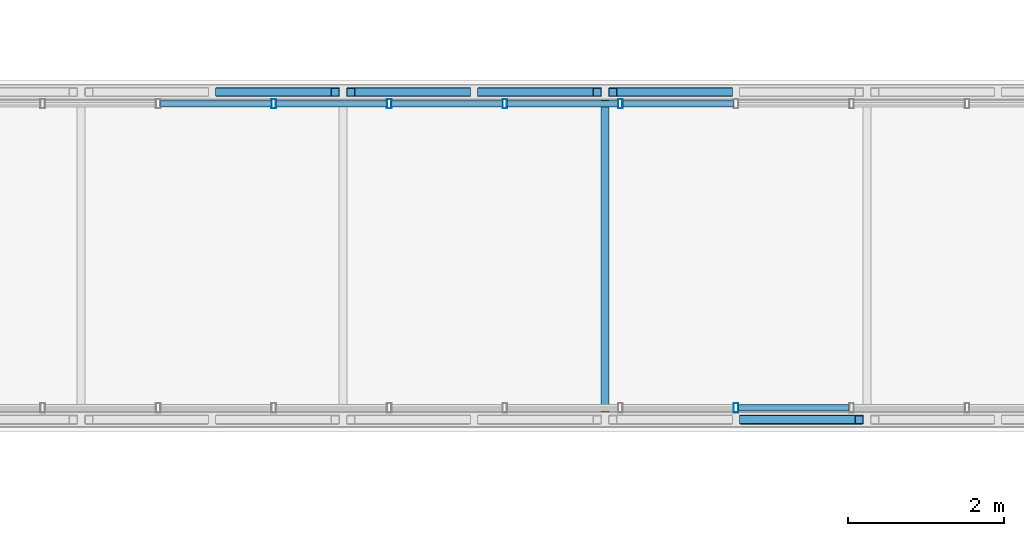
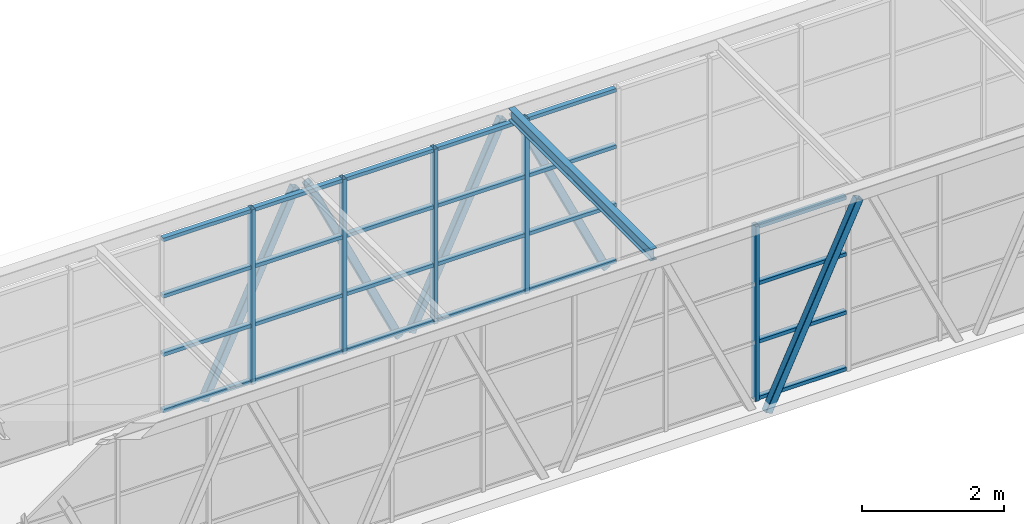
# One storey, part 56 of 149: 34 members, 1 beam, 2 elements without a shape of their own.
"""IFC4 building model written with IfcOpenShell, lengths in metres."""

from ifc_helpers import new_model, si_unit, direction, frame, origin, origin_2d, place, context, subcontext, project, spatial, hollow_rectangle, i_section, extrude, material, material_profile, profile_set, type_object, element, aggregate, save


model = new_model("IFC4")

# Units and contexts
model_context = context("Model", 3, precision=1e-05, world=origin(), true_north=direction((0.0, 1.0)))
body_context = subcontext(model_context, "Body", "Model", "MODEL_VIEW")
ifc_project = project(units=[si_unit("LENGTHUNIT", "METRE"), si_unit("AREAUNIT", "SQUARE_METRE"), si_unit("VOLUMEUNIT", "CUBIC_METRE"), si_unit("PLANEANGLEUNIT", "RADIAN"), si_unit("MASSUNIT", "GRAM", prefix="KILO")], contexts=[model_context])

# Site, building, storey
site_placement = place(None, origin())
site = spatial("IfcSite", under=ifc_project, at=site_placement, CompositionType="ELEMENT")
building_placement = place(site_placement, origin())
building = spatial("IfcBuilding", under=site, at=building_placement, Name="Kallimachos Central Library", CompositionType="ELEMENT")
storey_placement = place(building_placement, frame((0.0, 0.0, 9.89990234375)))
storey = spatial("IfcBuildingStorey", under=building, at=storey_placement, Name="L02", CompositionType="ELEMENT", Elevation=9.89990234375)

# Curtain wall, member
ifc_material_1 = material(Name="Aluminium and laminated glass", Category="aluminium")
curtain_wall_type = type_object("IfcCurtainWallType", Name="Link glazed wall", PredefinedType="NOTDEFINED", material=ifc_material_1)
curtain_wall_1_placement = place(storey_placement, origin())
curtain_wall_1 = element("IfcCurtainWall", 1, at=curtain_wall_1_placement, inside=storey, type_object=curtain_wall_type, Name="V1 to V3 bridge glazed side", PredefinedType="NOTDEFINED")
ifc_material_2 = material(Name="Anodised aluminium", Category="aluminium")
ifc_material_profile_1 = material_profile(ifc_material_2, hollow_rectangle(XDim=0.06005859375, YDim=0.1201171875, WallThickness=0.00390625, at=origin_2d()), Name="ALU MULLION 60x120")
ifc_profile_set_1 = profile_set([ifc_material_profile_1], Name="Anodised aluminium")
member_type_1 = type_object("IfcMemberType", Name="ALU MULLION 60x120 mullion", PredefinedType="MULLION", material=ifc_profile_set_1)
member_1_placement = place(storey_placement, frame((124.262451171875, 98.550048828125, 0.0), z_axis=(0.0, 0.0, 1.0), x_axis=(1.0, 0.0, 0.0)))
member_1 = element("IfcMember", 2, at=member_1_placement, type_object=member_type_1, Name="CW74 mullion 10", PredefinedType="MULLION", context=body_context, shape_type="SweptSolid", body=[
    extrude(hollow_rectangle(XDim=0.06005859375, YDim=0.1201171875, WallThickness=0.00390625, at=origin_2d()), origin(), (0.0, 0.0, 1.0), 3.0),
])

# Curtain wall, members
curtain_wall_2_placement = place(storey_placement, origin())
curtain_wall_2 = element("IfcCurtainWall", 3, at=curtain_wall_2_placement, inside=storey, type_object=curtain_wall_type, Name="V1 to V3 bridge glazed side", PredefinedType="NOTDEFINED")
member_2_placement = place(storey_placement, frame((118.334716796875, 102.449951171875, 0.0), z_axis=(0.0, 0.0, 1.0), x_axis=(1.0, 0.0, 0.0)))
member_2 = element("IfcMember", 4, at=member_2_placement, type_object=member_type_1, Name="CW75 mullion 6", PredefinedType="MULLION", context=body_context, shape_type="SweptSolid", body=[
    extrude(hollow_rectangle(XDim=0.06005859375, YDim=0.1201171875, WallThickness=0.00390625, at=origin_2d()), origin(), (0.0, 0.0, 1.0), 3.0),
])
member_3_placement = place(storey_placement, frame((119.816650390625, 102.449951171875, 0.0), z_axis=(0.0, 0.0, 1.0), x_axis=(1.0, 0.0, 0.0)))
member_3 = element("IfcMember", 5, at=member_3_placement, type_object=member_type_1, Name="CW75 mullion 7", PredefinedType="MULLION", context=body_context, shape_type="SweptSolid", body=[
    extrude(hollow_rectangle(XDim=0.06005859375, YDim=0.1201171875, WallThickness=0.00390625, at=origin_2d()), origin(), (0.0, 0.0, 1.0), 3.0),
])
member_4_placement = place(storey_placement, frame((121.298583984375, 102.449951171875, 0.0), z_axis=(0.0, 0.0, 1.0), x_axis=(1.0, 0.0, 0.0)))
member_4 = element("IfcMember", 6, at=member_4_placement, type_object=member_type_1, Name="CW75 mullion 8", PredefinedType="MULLION", context=body_context, shape_type="SweptSolid", body=[
    extrude(hollow_rectangle(XDim=0.06005859375, YDim=0.1201171875, WallThickness=0.00390625, at=origin_2d()), origin(), (0.0, 0.0, 1.0), 3.0),
])
member_5_placement = place(storey_placement, frame((122.780517578125, 102.449951171875, 0.0), z_axis=(0.0, 0.0, 1.0), x_axis=(1.0, 0.0, 0.0)))
member_5 = element("IfcMember", 7, at=member_5_placement, type_object=member_type_1, Name="CW75 mullion 9", PredefinedType="MULLION", context=body_context, shape_type="SweptSolid", body=[
    extrude(hollow_rectangle(XDim=0.06005859375, YDim=0.1201171875, WallThickness=0.00390625, at=origin_2d()), origin(), (0.0, 0.0, 1.0), 3.0),
])

# Member
ifc_material_3 = material(Name="Anodised aluminium", Category="aluminium")
ifc_material_profile_2 = material_profile(ifc_material_3, hollow_rectangle(XDim=0.06005859375, YDim=0.080078125, WallThickness=0.00390625, at=origin_2d()), Name="ALU TRANSOM 60x80")
ifc_profile_set_2 = profile_set([ifc_material_profile_2], Name="Anodised aluminium")
member_type_2 = type_object("IfcMemberType", Name="ALU TRANSOM 60x80 transom", PredefinedType="USERDEFINED", material=ifc_profile_set_2)
member_6_placement = place(storey_placement, frame((124.29248046875, 98.550048828125, 0.030029296875), z_axis=(1.0, 0.0, 0.0), x_axis=(0.0, 0.0, 1.0)))
member_6 = element("IfcMember", 8, at=member_6_placement, type_object=member_type_2, Name="CW74 transom 10.1", ObjectType="TRANSOM", PredefinedType="USERDEFINED", context=body_context, shape_type="SweptSolid", body=[
    extrude(hollow_rectangle(XDim=0.06005859375, YDim=0.080078125, WallThickness=0.00390625, at=origin_2d()), origin(), (0.0, 0.0, 1.0), 1.421875),
])

member_7_placement = place(storey_placement, frame((124.29248046875, 98.550048828125, 1.0), z_axis=(1.0, 0.0, 0.0), x_axis=(0.0, 0.0, 1.0)))
member_7 = element("IfcMember", 9, at=member_7_placement, type_object=member_type_2, Name="CW74 transom 10.2", ObjectType="TRANSOM", PredefinedType="USERDEFINED", context=body_context, shape_type="SweptSolid", body=[
    extrude(hollow_rectangle(XDim=0.06005859375, YDim=0.080078125, WallThickness=0.00390625, at=origin_2d()), origin(), (0.0, 0.0, 1.0), 1.421875),
])

member_8_placement = place(storey_placement, frame((124.29248046875, 98.550048828125, 2.0), z_axis=(1.0, 0.0, 0.0), x_axis=(0.0, 0.0, 1.0)))
member_8 = element("IfcMember", 10, at=member_8_placement, type_object=member_type_2, Name="CW74 transom 10.3", ObjectType="TRANSOM", PredefinedType="USERDEFINED", context=body_context, shape_type="SweptSolid", body=[
    extrude(hollow_rectangle(XDim=0.06005859375, YDim=0.080078125, WallThickness=0.00390625, at=origin_2d()), origin(), (0.0, 0.0, 1.0), 1.421875),
])

member_9_placement = place(storey_placement, frame((124.29248046875, 98.550048828125, 2.97021484375), z_axis=(1.0, 0.0, 0.0), x_axis=(0.0, 0.0, 1.0)))
member_9 = element("IfcMember", 11, at=member_9_placement, type_object=member_type_2, Name="CW74 transom 10.4", ObjectType="TRANSOM", PredefinedType="USERDEFINED", context=body_context, shape_type="SweptSolid", body=[
    extrude(hollow_rectangle(XDim=0.06005859375, YDim=0.080078125, WallThickness=0.00390625, at=origin_2d()), origin(), (0.0, 0.0, 1.0), 1.421875),
])

aggregate(curtain_wall_1, [member_1, member_6, member_7, member_8, member_9])

member_10_placement = place(storey_placement, frame((116.8828125, 102.449951171875, 0.030029296875), z_axis=(1.0, 0.0, 0.0), x_axis=(0.0, 0.0, 1.0)))
member_10 = element("IfcMember", 12, at=member_10_placement, type_object=member_type_2, Name="CW75 transom 5.1", ObjectType="TRANSOM", PredefinedType="USERDEFINED", context=body_context, shape_type="SweptSolid", body=[
    extrude(hollow_rectangle(XDim=0.06005859375, YDim=0.080078125, WallThickness=0.00390625, at=origin_2d()), origin(), (0.0, 0.0, 1.0), 1.421875),
])

member_11_placement = place(storey_placement, frame((116.8828125, 102.449951171875, 1.0), z_axis=(1.0, 0.0, 0.0), x_axis=(0.0, 0.0, 1.0)))
member_11 = element("IfcMember", 13, at=member_11_placement, type_object=member_type_2, Name="CW75 transom 5.2", ObjectType="TRANSOM", PredefinedType="USERDEFINED", context=body_context, shape_type="SweptSolid", body=[
    extrude(hollow_rectangle(XDim=0.06005859375, YDim=0.080078125, WallThickness=0.00390625, at=origin_2d()), origin(), (0.0, 0.0, 1.0), 1.421875),
])

member_12_placement = place(storey_placement, frame((116.8828125, 102.449951171875, 2.0), z_axis=(1.0, 0.0, 0.0), x_axis=(0.0, 0.0, 1.0)))
member_12 = element("IfcMember", 14, at=member_12_placement, type_object=member_type_2, Name="CW75 transom 5.3", ObjectType="TRANSOM", PredefinedType="USERDEFINED", context=body_context, shape_type="SweptSolid", body=[
    extrude(hollow_rectangle(XDim=0.06005859375, YDim=0.080078125, WallThickness=0.00390625, at=origin_2d()), origin(), (0.0, 0.0, 1.0), 1.421875),
])

member_13_placement = place(storey_placement, frame((116.8828125, 102.449951171875, 2.97021484375), z_axis=(1.0, 0.0, 0.0), x_axis=(0.0, 0.0, 1.0)))
member_13 = element("IfcMember", 15, at=member_13_placement, type_object=member_type_2, Name="CW75 transom 5.4", ObjectType="TRANSOM", PredefinedType="USERDEFINED", context=body_context, shape_type="SweptSolid", body=[
    extrude(hollow_rectangle(XDim=0.06005859375, YDim=0.080078125, WallThickness=0.00390625, at=origin_2d()), origin(), (0.0, 0.0, 1.0), 1.421875),
])

member_14_placement = place(storey_placement, frame((118.36474609375, 102.449951171875, 0.030029296875), z_axis=(1.0, 0.0, 0.0), x_axis=(0.0, 0.0, 1.0)))
member_14 = element("IfcMember", 16, at=member_14_placement, type_object=member_type_2, Name="CW75 transom 6.1", ObjectType="TRANSOM", PredefinedType="USERDEFINED", context=body_context, shape_type="SweptSolid", body=[
    extrude(hollow_rectangle(XDim=0.06005859375, YDim=0.080078125, WallThickness=0.00390625, at=origin_2d()), origin(), (0.0, 0.0, 1.0), 1.421875),
])

member_15_placement = place(storey_placement, frame((118.36474609375, 102.449951171875, 1.0), z_axis=(1.0, 0.0, 0.0), x_axis=(0.0, 0.0, 1.0)))
member_15 = element("IfcMember", 17, at=member_15_placement, type_object=member_type_2, Name="CW75 transom 6.2", ObjectType="TRANSOM", PredefinedType="USERDEFINED", context=body_context, shape_type="SweptSolid", body=[
    extrude(hollow_rectangle(XDim=0.06005859375, YDim=0.080078125, WallThickness=0.00390625, at=origin_2d()), origin(), (0.0, 0.0, 1.0), 1.421875),
])

member_16_placement = place(storey_placement, frame((118.36474609375, 102.449951171875, 2.0), z_axis=(1.0, 0.0, 0.0), x_axis=(0.0, 0.0, 1.0)))
member_16 = element("IfcMember", 18, at=member_16_placement, type_object=member_type_2, Name="CW75 transom 6.3", ObjectType="TRANSOM", PredefinedType="USERDEFINED", context=body_context, shape_type="SweptSolid", body=[
    extrude(hollow_rectangle(XDim=0.06005859375, YDim=0.080078125, WallThickness=0.00390625, at=origin_2d()), origin(), (0.0, 0.0, 1.0), 1.421875),
])

member_17_placement = place(storey_placement, frame((118.36474609375, 102.449951171875, 2.97021484375), z_axis=(1.0, 0.0, 0.0), x_axis=(0.0, 0.0, 1.0)))
member_17 = element("IfcMember", 19, at=member_17_placement, type_object=member_type_2, Name="CW75 transom 6.4", ObjectType="TRANSOM", PredefinedType="USERDEFINED", context=body_context, shape_type="SweptSolid", body=[
    extrude(hollow_rectangle(XDim=0.06005859375, YDim=0.080078125, WallThickness=0.00390625, at=origin_2d()), origin(), (0.0, 0.0, 1.0), 1.421875),
])

member_18_placement = place(storey_placement, frame((119.8466796875, 102.449951171875, 0.030029296875), z_axis=(1.0, 0.0, 0.0), x_axis=(0.0, 0.0, 1.0)))
member_18 = element("IfcMember", 20, at=member_18_placement, type_object=member_type_2, Name="CW75 transom 7.1", ObjectType="TRANSOM", PredefinedType="USERDEFINED", context=body_context, shape_type="SweptSolid", body=[
    extrude(hollow_rectangle(XDim=0.06005859375, YDim=0.080078125, WallThickness=0.00390625, at=origin_2d()), origin(), (0.0, 0.0, 1.0), 1.421875),
])

member_19_placement = place(storey_placement, frame((119.8466796875, 102.449951171875, 1.0), z_axis=(1.0, 0.0, 0.0), x_axis=(0.0, 0.0, 1.0)))
member_19 = element("IfcMember", 21, at=member_19_placement, type_object=member_type_2, Name="CW75 transom 7.2", ObjectType="TRANSOM", PredefinedType="USERDEFINED", context=body_context, shape_type="SweptSolid", body=[
    extrude(hollow_rectangle(XDim=0.06005859375, YDim=0.080078125, WallThickness=0.00390625, at=origin_2d()), origin(), (0.0, 0.0, 1.0), 1.421875),
])

member_20_placement = place(storey_placement, frame((119.8466796875, 102.449951171875, 2.0), z_axis=(1.0, 0.0, 0.0), x_axis=(0.0, 0.0, 1.0)))
member_20 = element("IfcMember", 22, at=member_20_placement, type_object=member_type_2, Name="CW75 transom 7.3", ObjectType="TRANSOM", PredefinedType="USERDEFINED", context=body_context, shape_type="SweptSolid", body=[
    extrude(hollow_rectangle(XDim=0.06005859375, YDim=0.080078125, WallThickness=0.00390625, at=origin_2d()), origin(), (0.0, 0.0, 1.0), 1.421875),
])

member_21_placement = place(storey_placement, frame((119.8466796875, 102.449951171875, 2.97021484375), z_axis=(1.0, 0.0, 0.0), x_axis=(0.0, 0.0, 1.0)))
member_21 = element("IfcMember", 23, at=member_21_placement, type_object=member_type_2, Name="CW75 transom 7.4", ObjectType="TRANSOM", PredefinedType="USERDEFINED", context=body_context, shape_type="SweptSolid", body=[
    extrude(hollow_rectangle(XDim=0.06005859375, YDim=0.080078125, WallThickness=0.00390625, at=origin_2d()), origin(), (0.0, 0.0, 1.0), 1.421875),
])

member_22_placement = place(storey_placement, frame((121.32861328125, 102.449951171875, 0.030029296875), z_axis=(1.0, 0.0, 0.0), x_axis=(0.0, 0.0, 1.0)))
member_22 = element("IfcMember", 24, at=member_22_placement, type_object=member_type_2, Name="CW75 transom 8.1", ObjectType="TRANSOM", PredefinedType="USERDEFINED", context=body_context, shape_type="SweptSolid", body=[
    extrude(hollow_rectangle(XDim=0.06005859375, YDim=0.080078125, WallThickness=0.00390625, at=origin_2d()), origin(), (0.0, 0.0, 1.0), 1.421875),
])

member_23_placement = place(storey_placement, frame((121.32861328125, 102.449951171875, 1.0), z_axis=(1.0, 0.0, 0.0), x_axis=(0.0, 0.0, 1.0)))
member_23 = element("IfcMember", 25, at=member_23_placement, type_object=member_type_2, Name="CW75 transom 8.2", ObjectType="TRANSOM", PredefinedType="USERDEFINED", context=body_context, shape_type="SweptSolid", body=[
    extrude(hollow_rectangle(XDim=0.06005859375, YDim=0.080078125, WallThickness=0.00390625, at=origin_2d()), origin(), (0.0, 0.0, 1.0), 1.421875),
])

member_24_placement = place(storey_placement, frame((121.32861328125, 102.449951171875, 2.0), z_axis=(1.0, 0.0, 0.0), x_axis=(0.0, 0.0, 1.0)))
member_24 = element("IfcMember", 26, at=member_24_placement, type_object=member_type_2, Name="CW75 transom 8.3", ObjectType="TRANSOM", PredefinedType="USERDEFINED", context=body_context, shape_type="SweptSolid", body=[
    extrude(hollow_rectangle(XDim=0.06005859375, YDim=0.080078125, WallThickness=0.00390625, at=origin_2d()), origin(), (0.0, 0.0, 1.0), 1.421875),
])

member_25_placement = place(storey_placement, frame((121.32861328125, 102.449951171875, 2.97021484375), z_axis=(1.0, 0.0, 0.0), x_axis=(0.0, 0.0, 1.0)))
member_25 = element("IfcMember", 27, at=member_25_placement, type_object=member_type_2, Name="CW75 transom 8.4", ObjectType="TRANSOM", PredefinedType="USERDEFINED", context=body_context, shape_type="SweptSolid", body=[
    extrude(hollow_rectangle(XDim=0.06005859375, YDim=0.080078125, WallThickness=0.00390625, at=origin_2d()), origin(), (0.0, 0.0, 1.0), 1.421875),
])

member_26_placement = place(storey_placement, frame((122.810546875, 102.449951171875, 0.030029296875), z_axis=(1.0, 0.0, 0.0), x_axis=(0.0, 0.0, 1.0)))
member_26 = element("IfcMember", 28, at=member_26_placement, type_object=member_type_2, Name="CW75 transom 9.1", ObjectType="TRANSOM", PredefinedType="USERDEFINED", context=body_context, shape_type="SweptSolid", body=[
    extrude(hollow_rectangle(XDim=0.06005859375, YDim=0.080078125, WallThickness=0.00390625, at=origin_2d()), origin(), (0.0, 0.0, 1.0), 1.421875),
])

member_27_placement = place(storey_placement, frame((122.810546875, 102.449951171875, 1.0), z_axis=(1.0, 0.0, 0.0), x_axis=(0.0, 0.0, 1.0)))
member_27 = element("IfcMember", 29, at=member_27_placement, type_object=member_type_2, Name="CW75 transom 9.2", ObjectType="TRANSOM", PredefinedType="USERDEFINED", context=body_context, shape_type="SweptSolid", body=[
    extrude(hollow_rectangle(XDim=0.06005859375, YDim=0.080078125, WallThickness=0.00390625, at=origin_2d()), origin(), (0.0, 0.0, 1.0), 1.421875),
])

member_28_placement = place(storey_placement, frame((122.810546875, 102.449951171875, 2.0), z_axis=(1.0, 0.0, 0.0), x_axis=(0.0, 0.0, 1.0)))
member_28 = element("IfcMember", 30, at=member_28_placement, type_object=member_type_2, Name="CW75 transom 9.3", ObjectType="TRANSOM", PredefinedType="USERDEFINED", context=body_context, shape_type="SweptSolid", body=[
    extrude(hollow_rectangle(XDim=0.06005859375, YDim=0.080078125, WallThickness=0.00390625, at=origin_2d()), origin(), (0.0, 0.0, 1.0), 1.421875),
])

member_29_placement = place(storey_placement, frame((122.810546875, 102.449951171875, 2.97021484375), z_axis=(1.0, 0.0, 0.0), x_axis=(0.0, 0.0, 1.0)))
member_29 = element("IfcMember", 31, at=member_29_placement, type_object=member_type_2, Name="CW75 transom 9.4", ObjectType="TRANSOM", PredefinedType="USERDEFINED", context=body_context, shape_type="SweptSolid", body=[
    extrude(hollow_rectangle(XDim=0.06005859375, YDim=0.080078125, WallThickness=0.00390625, at=origin_2d()), origin(), (0.0, 0.0, 1.0), 1.421875),
])

aggregate(curtain_wall_2, [member_2, member_3, member_4, member_5, member_10, member_11, member_12, member_13, member_14, member_15, member_16, member_17, member_18, member_19, member_20, member_21, member_22, member_23, member_24, member_25, member_26, member_27, member_28, member_29])

# Beam
ifc_material_4 = material(Name="Steel S355J2", Category="steel")
ifc_material_profile_3 = material_profile(ifc_material_4, i_section(OverallWidth=0.10009765625, OverallDepth=0.199951171875, WebThickness=0.005615234375, FlangeThickness=0.008544921875, FilletRadius=0.011962890625, at=origin_2d()), Name="IPE 200")
ifc_profile_set_3 = profile_set([ifc_material_profile_3], Name="Steel S355J2")
beam_type = type_object("IfcBeamType", Name="IPE 200 beam", PredefinedType="BEAM", material=ifc_profile_set_3)
beam_placement = place(storey_placement, frame((122.582763671875, 98.5, 3.10009765625), z_axis=(0.0, 1.0, 0.0), x_axis=(-1.0, 0.0, 0.0)))
element("IfcBeam", 32, at=beam_placement, inside=storey, type_object=beam_type, Name="B-E roof cross beam", PredefinedType="BEAM", context=body_context, shape_type="SweptSolid", body=[
    extrude(i_section(OverallWidth=0.10009765625, OverallDepth=0.199951171875, WebThickness=0.005615234375, FlangeThickness=0.008544921875, FilletRadius=0.011962890625, at=origin_2d()), origin(), (0.0, 0.0, 1.0), 4.0),
])

# Members
ifc_material_5 = material(Name="Steel S355J2H", Category="steel")
ifc_material_profile_4 = material_profile(ifc_material_5, hollow_rectangle(XDim=0.1201171875, YDim=0.1201171875, WallThickness=0.008056640625, InnerFilletRadius=0.008056640625, OuterFilletRadius=0.011962890625, at=origin_2d()), Name="SHS 120x120x8")
ifc_profile_set_4 = profile_set([ifc_material_profile_4], Name="Steel S355J2H")
member_type_3 = type_object("IfcMemberType", Name="SHS 120x120x8 web", PredefinedType="BRACE", material=ifc_profile_set_4)
for number, where, z_axis, x_axis, name in (
    (33, (124.362548828125, 98.39990234375, -0.14990234375), (0.425192201844, 0.0, 0.905103083351), (0.0, 1.0, 0.0), "links-MEM-L02-044"),
    (34, (117.643798828125, 102.60009765625, -0.14990234375), (0.425192201844, 0.0, 0.905103083351), (0.0, 1.0, 0.0), "links-MEM-L02-057"),
    (35, (119.323486328125, 102.60009765625, 3.0), (0.425192201844, 0.0, -0.905103083351), (0.0, 1.0, 0.0), "links-MEM-L02-058"),
    (36, (121.003173828125, 102.60009765625, -0.14990234375), (0.425192201844, 0.0, 0.905103083351), (0.0, 1.0, 0.0), "links-MEM-L02-059"),
    (37, (122.682861328125, 102.60009765625, 3.0), (0.425192201844, 0.0, -0.905103083351), (0.0, 1.0, 0.0), "links-MEM-L02-060"),
):
    element("IfcMember", number, at=place(storey_placement, frame(where, z_axis=z_axis, x_axis=x_axis)), inside=storey, type_object=member_type_3, Name=name, PredefinedType="BRACE", context=body_context, shape_type="SweptSolid", body=[
        extrude(hollow_rectangle(XDim=0.1201171875, YDim=0.1201171875, WallThickness=0.008056640625, InnerFilletRadius=0.008056640625, OuterFilletRadius=0.011962890625, at=origin_2d()), origin(), (0.0, 0.0, 1.0), 3.480224609375),
    ])

save(model, "model.ifc")
